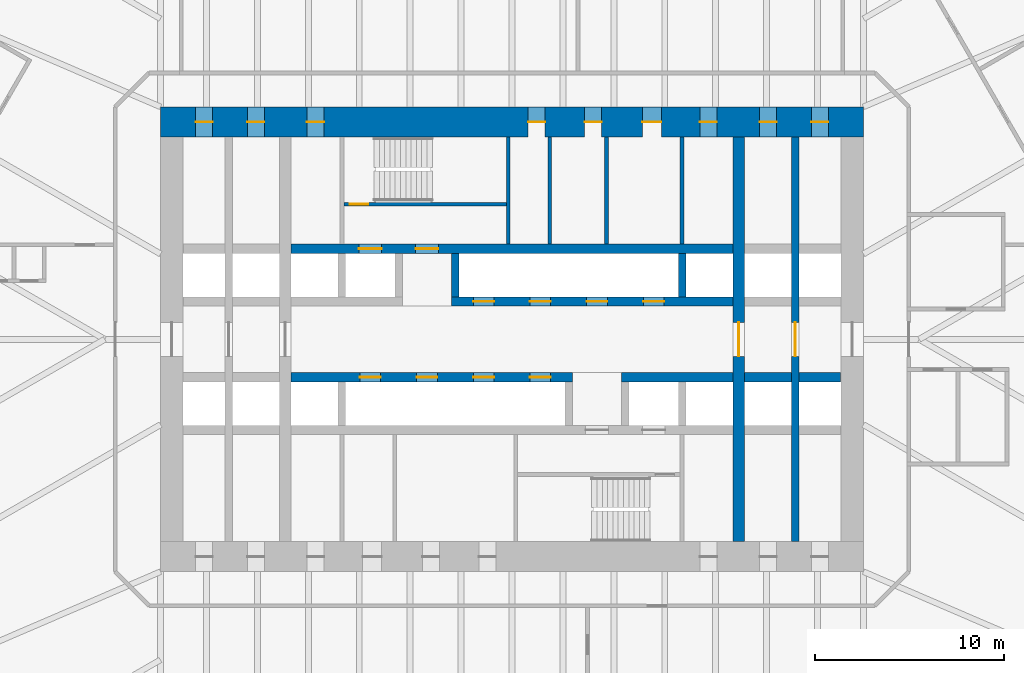
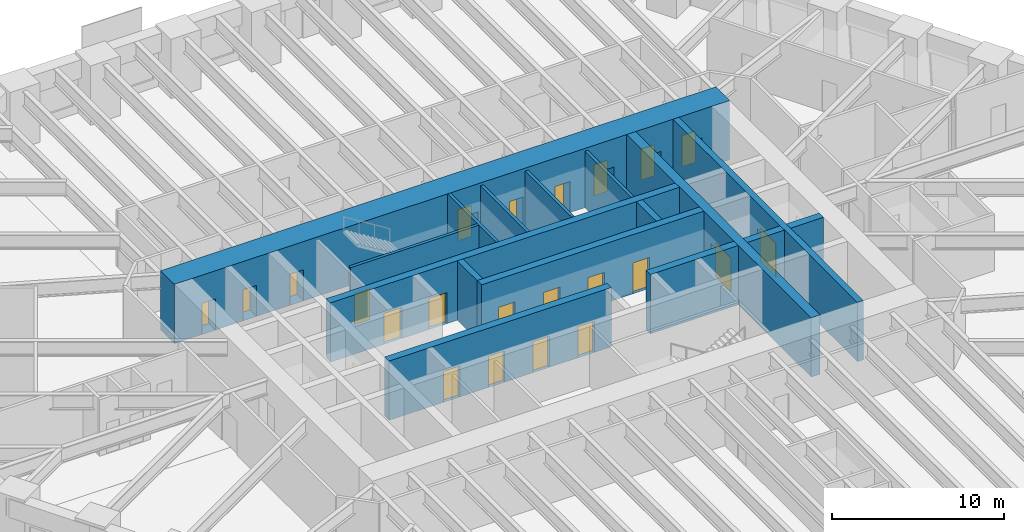
# One storey, part 18 of 23: 22 doors, 16 walls, 22 openings.
"""IFC4 building model written with IfcOpenShell, lengths in metres."""

from ifc_helpers import new_model, si_unit, direction, frame, frame_2d, origin, place, context, subcontext, project, spatial, rectangle, extrude, material, layer, layer_set, type_object, element, fill, save


model = new_model("IFC4")

# Units and contexts
model_context = context("Model", 3, precision=1e-05, world=origin(), true_north=direction((0.0, 1.0)))
body_context = subcontext(model_context, "Body", "Model", "MODEL_VIEW")
ifc_project = project(units=[si_unit("LENGTHUNIT", "METRE"), si_unit("AREAUNIT", "SQUARE_METRE"), si_unit("VOLUMEUNIT", "CUBIC_METRE"), si_unit("PLANEANGLEUNIT", "RADIAN"), si_unit("MASSUNIT", "GRAM", prefix="KILO")], contexts=[model_context])

# Site, building, storey
site_placement = place(None, origin())
site = spatial("IfcSite", under=ifc_project, at=site_placement, CompositionType="ELEMENT")
building_placement = place(site_placement, origin())
building = spatial("IfcBuilding", under=site, at=building_placement, Name="Tarfa Lantern Tower", CompositionType="ELEMENT")
storey_placement = place(building_placement, frame((0.0, 0.0, 48.699951171875)))
storey = spatial("IfcBuildingStorey", under=building, at=storey_placement, Name="L10", CompositionType="ELEMENT", Elevation=48.699951171875)

# Walls
ifc_material_1 = material(Name="Concrete blockwork", Category="masonry")
ifc_layer_1 = layer(ifc_material_1, 0.199951171875)
ifc_layer_set_1 = layer_set([ifc_layer_1], Name="IW1 BLOCKWORK PARTITION 200 EI 120")
wall_type_1 = type_object("IfcWallType", Name="IW1 BLOCKWORK PARTITION 200 EI 120", PredefinedType="PARTITIONING", material=ifc_layer_set_1)
for number, where, z_axis, x_axis, name in (
    (1, (9.0, 5.050048828125, 0.0), (0.0, 0.0, 1.0), (0.0, 1.0, 0.0), "Core partition"),
    (2, (2.0, 5.050048828125, 0.0), (0.0, 0.0, 1.0), (0.0, 1.0, 0.0), "Core partition"),
    (3, (5.0, 5.050048828125, 0.0), (0.0, 0.0, 1.0), (0.0, 1.0, 0.0), "Core partition"),
):
    element("IfcWall", number, at=place(storey_placement, frame(where, z_axis=z_axis, x_axis=x_axis)), inside=storey, type_object=wall_type_1, Name=name, PredefinedType="PARTITIONING", context=body_context, shape_type="SweptSolid", body=[
        extrude(rectangle(XDim=5.64990234375, YDim=0.199951171875, at=frame_2d((2.824951171875, 0.0))), origin(), (0.0, 0.0, 1.0), 4.0),
    ])
ifc_material_2 = material(Name="Concrete C80/95", Category="concrete")
ifc_layer_2 = layer(ifc_material_2, 0.199951171875)
ifc_layer_set_2 = layer_set([ifc_layer_2], Name="SW12 CORE WALL 200")
wall_type_2 = type_object("IfcWallType", Name="SW12 CORE WALL 200", PredefinedType="SHEAR", material=ifc_layer_set_2)
wall_1_placement = place(storey_placement, frame((-0.199951171875, 5.050048828125, 0.0), z_axis=(0.0, 0.0, 1.0), x_axis=(0.0, 1.0, 0.0)))
element("IfcWall", 4, at=wall_1_placement, inside=storey, type_object=wall_type_2, Name="Core wall stair shaft N", PredefinedType="SHEAR", context=body_context, shape_type="SweptSolid", body=[
    extrude(rectangle(XDim=5.64990234375, YDim=0.199951171875, at=frame_2d((2.824951171875, 0.0))), origin(), (0.0, 0.0, 1.0), 4.199951171875),
])

# Wall, opening, door
wall_2_placement = place(storey_placement, frame((-8.89990234375, 7.14990234375, 0.0), z_axis=(0.0, 0.0, 1.0), x_axis=(1.0, 0.0, 0.0)))
wall_2 = element("IfcWall", 5, at=wall_2_placement, inside=storey, type_object=wall_type_2, Name="Core wall stair partition N", PredefinedType="SHEAR", context=body_context, shape_type="SweptSolid", body=[
    extrude(rectangle(XDim=8.599853515625, YDim=0.199951171875, at=frame_2d((4.2998046875, 0.0))), origin(), (0.0, 0.0, 1.0), 4.199951171875),
])
opening_1_placement = place(wall_2_placement, frame((0.300048828125, 0.0, 0.0)))
opening_1 = element("IfcOpeningElement", 6, at=opening_1_placement, cuts=wall_2, Name="Opening D23", PredefinedType="OPENING", context=body_context, shape_type="SweptSolid", body=[
    extrude(rectangle(XDim=1.0, YDim=2.199951171875, at=frame_2d((0.5, 1.10009765625))), frame((0.0, 0.10986328125, 0.0), z_axis=(0.0, -1.0, 0.0), x_axis=(1.0, 0.0, 0.0)), (0.0, 0.0, 1.0), 0.219970703125),
])
ifc_material_3 = material(Name="Steel fire door", Category="steel")
door_type_1 = type_object("IfcDoorType", Name="DF2 STAIR DOOR 1000x2200", OperationType="SINGLE_SWING_LEFT", PredefinedType="DOOR", material=ifc_material_3)
door_1_placement = place(opening_1_placement, origin())
door_1 = element("IfcDoor", 7, at=door_1_placement, inside=storey, type_object=door_type_1, Name="Stair door", OperationType="SINGLE_SWING_RIGHT", OverallHeight=2.199951171875, OverallWidth=1.0, PredefinedType="DOOR", context=body_context, shape_type="SweptSolid", body=[
    extrude(rectangle(XDim=1.0, YDim=2.199951171875, at=frame_2d((0.5, 1.10009765625))), frame((0.0, 0.02490234375, 0.0), z_axis=(0.0, -1.0, 0.0), x_axis=(1.0, 0.0, 0.0)), (0.0, 0.0, 1.0), 0.050048828125),
])
fill(opening_1, door_1)

# Wall, openings, doors
ifc_layer_3 = layer(ifc_material_2, 0.5)
ifc_layer_set_3 = layer_set([ifc_layer_3], Name="SW5 CORE WALL 500")
wall_type_3 = type_object("IfcWallType", Name="SW5 CORE WALL 500", PredefinedType="SHEAR", material=ifc_layer_set_3)
wall_3_placement = place(storey_placement, frame((-3.199951171875, 2.0, 0.0), z_axis=(0.0, 0.0, 1.0), x_axis=(1.0, 0.0, 0.0)))
wall_3 = element("IfcWall", 8, at=wall_3_placement, inside=storey, type_object=wall_type_3, Name="Core wall lobby east N", PredefinedType="SHEAR", context=body_context, shape_type="SweptSolid", body=[
    extrude(rectangle(XDim=14.89990234375, YDim=0.5, at=frame_2d((7.449951171875, 0.0))), origin(), (0.0, 0.0, 1.0), 4.199951171875),
])
opening_2_placement = place(wall_3_placement, frame((1.14990234375, 0.0, 0.0)))
opening_2 = element("IfcOpeningElement", 9, at=opening_2_placement, cuts=wall_3, Name="Opening LD03", PredefinedType="OPENING", context=body_context, shape_type="SweptSolid", body=[
    extrude(rectangle(XDim=1.10009765625, YDim=2.199951171875, at=frame_2d((0.550048828125, 1.10009765625))), frame((0.0, 0.260009765625, 0.0), z_axis=(0.0, -1.0, 0.0), x_axis=(1.0, 0.0, 0.0)), (0.0, 0.0, 1.0), 0.52001953125),
])
opening_3_placement = place(wall_3_placement, frame((4.14990234375, 0.0, 0.0)))
opening_3 = element("IfcOpeningElement", 10, at=opening_3_placement, cuts=wall_3, Name="Opening LD04", PredefinedType="OPENING", context=body_context, shape_type="SweptSolid", body=[
    extrude(rectangle(XDim=1.10009765625, YDim=2.199951171875, at=frame_2d((0.550048828125, 1.10009765625))), frame((0.0, 0.260009765625, 0.0), z_axis=(0.0, -1.0, 0.0), x_axis=(1.0, 0.0, 0.0)), (0.0, 0.0, 1.0), 0.52001953125),
])
opening_4_placement = place(wall_3_placement, frame((7.14990234375, 0.0, 0.0)))
opening_4 = element("IfcOpeningElement", 11, at=opening_4_placement, cuts=wall_3, Name="Opening LD05", PredefinedType="OPENING", context=body_context, shape_type="SweptSolid", body=[
    extrude(rectangle(XDim=1.10009765625, YDim=2.199951171875, at=frame_2d((0.550048828125, 1.10009765625))), frame((0.0, 0.260009765625, 0.0), z_axis=(0.0, -1.0, 0.0), x_axis=(1.0, 0.0, 0.0)), (0.0, 0.0, 1.0), 0.52001953125),
])
opening_5_placement = place(wall_3_placement, frame((10.14990234375, 0.0, 0.0)))
opening_5 = element("IfcOpeningElement", 12, at=opening_5_placement, cuts=wall_3, Name="Opening LD06", PredefinedType="OPENING", context=body_context, shape_type="SweptSolid", body=[
    extrude(rectangle(XDim=1.10009765625, YDim=2.199951171875, at=frame_2d((0.550048828125, 1.10009765625))), frame((0.0, 0.260009765625, 0.0), z_axis=(0.0, -1.0, 0.0), x_axis=(1.0, 0.0, 0.0)), (0.0, 0.0, 1.0), 0.52001953125),
])
ifc_material_4 = material(Name="Stainless steel lift door", Category="steel")
door_type_2 = type_object("IfcDoorType", Name="LD2 LIFT LANDING DOOR 1100x2200", OperationType="SLIDING_TO_LEFT", PredefinedType="DOOR", material=ifc_material_4)
door_2_placement = place(opening_2_placement, frame((1.10009765625, 0.0, 0.0), z_axis=(0.0, 0.0, 1.0), x_axis=(-1.0, 0.0, 0.0)))
door_2 = element("IfcDoor", 13, at=door_2_placement, inside=storey, type_object=door_type_2, Name="Landing door PA1", OperationType="SLIDING_TO_LEFT", OverallHeight=2.199951171875, OverallWidth=1.10009765625, PredefinedType="DOOR", context=body_context, shape_type="SweptSolid", body=[
    extrude(rectangle(XDim=1.10009765625, YDim=2.199951171875, at=frame_2d((0.550048828125, 1.10009765625))), frame((0.0, 0.02490234375, 0.0), z_axis=(0.0, -1.0, 0.0), x_axis=(1.0, 0.0, 0.0)), (0.0, 0.0, 1.0), 0.050048828125),
])
fill(opening_2, door_2)
door_3_placement = place(opening_3_placement, frame((1.10009765625, 0.0, 0.0), z_axis=(0.0, 0.0, 1.0), x_axis=(-1.0, 0.0, 0.0)))
door_3 = element("IfcDoor", 14, at=door_3_placement, inside=storey, type_object=door_type_2, Name="Landing door PA2", OperationType="SLIDING_TO_LEFT", OverallHeight=2.199951171875, OverallWidth=1.10009765625, PredefinedType="DOOR", context=body_context, shape_type="SweptSolid", body=[
    extrude(rectangle(XDim=1.10009765625, YDim=2.199951171875, at=frame_2d((0.550048828125, 1.10009765625))), frame((0.0, 0.02490234375, 0.0), z_axis=(0.0, -1.0, 0.0), x_axis=(1.0, 0.0, 0.0)), (0.0, 0.0, 1.0), 0.050048828125),
])
fill(opening_3, door_3)
door_4_placement = place(opening_4_placement, frame((1.10009765625, 0.0, 0.0), z_axis=(0.0, 0.0, 1.0), x_axis=(-1.0, 0.0, 0.0)))
door_4 = element("IfcDoor", 15, at=door_4_placement, inside=storey, type_object=door_type_2, Name="Landing door PA3", OperationType="SLIDING_TO_LEFT", OverallHeight=2.199951171875, OverallWidth=1.10009765625, PredefinedType="DOOR", context=body_context, shape_type="SweptSolid", body=[
    extrude(rectangle(XDim=1.10009765625, YDim=2.199951171875, at=frame_2d((0.550048828125, 1.10009765625))), frame((0.0, 0.02490234375, 0.0), z_axis=(0.0, -1.0, 0.0), x_axis=(1.0, 0.0, 0.0)), (0.0, 0.0, 1.0), 0.050048828125),
])
fill(opening_4, door_4)
door_5_placement = place(opening_5_placement, frame((1.10009765625, 0.0, 0.0), z_axis=(0.0, 0.0, 1.0), x_axis=(-1.0, 0.0, 0.0)))
door_5 = element("IfcDoor", 16, at=door_5_placement, inside=storey, type_object=door_type_2, Name="Landing door PA4", OperationType="SLIDING_TO_LEFT", OverallHeight=2.199951171875, OverallWidth=1.10009765625, PredefinedType="DOOR", context=body_context, shape_type="SweptSolid", body=[
    extrude(rectangle(XDim=1.10009765625, YDim=2.199951171875, at=frame_2d((0.550048828125, 1.10009765625))), frame((0.0, 0.02490234375, 0.0), z_axis=(0.0, -1.0, 0.0), x_axis=(1.0, 0.0, 0.0)), (0.0, 0.0, 1.0), 0.050048828125),
])
fill(opening_5, door_5)

wall_4_placement = place(storey_placement, frame((-11.699951171875, 4.800048828125, 0.0), z_axis=(0.0, 0.0, 1.0), x_axis=(1.0, 0.0, 0.0)))
wall_4 = element("IfcWall", 17, at=wall_4_placement, inside=storey, type_object=wall_type_3, Name="Core wall rear N", PredefinedType="SHEAR", context=body_context, shape_type="SweptSolid", body=[
    extrude(rectangle(XDim=23.39990234375, YDim=0.5, at=frame_2d((11.699951171875, 0.0))), origin(), (0.0, 0.0, 1.0), 4.199951171875),
])
opening_6_placement = place(wall_4_placement, frame((6.60009765625, 0.0, 0.0)))
opening_6 = element("IfcOpeningElement", 18, at=opening_6_placement, cuts=wall_4, Name="Opening D13", PredefinedType="OPENING", context=body_context, shape_type="SweptSolid", body=[
    extrude(rectangle(XDim=1.199951171875, YDim=2.199951171875, at=frame_2d((0.60009765625, 1.10009765625))), frame((0.0, 0.260009765625, 0.0), z_axis=(0.0, -1.0, 0.0), x_axis=(1.0, 0.0, 0.0)), (0.0, 0.0, 1.0), 0.52001953125),
])
opening_7_placement = place(wall_4_placement, frame((3.60009765625, 0.0, 0.0)))
opening_7 = element("IfcOpeningElement", 19, at=opening_7_placement, cuts=wall_4, Name="Opening LD01", PredefinedType="OPENING", context=body_context, shape_type="SweptSolid", body=[
    extrude(rectangle(XDim=1.199951171875, YDim=2.199951171875, at=frame_2d((0.60009765625, 1.10009765625))), frame((0.0, 0.260009765625, 0.0), z_axis=(0.0, -1.0, 0.0), x_axis=(1.0, 0.0, 0.0)), (0.0, 0.0, 1.0), 0.52001953125),
])
door_type_3 = type_object("IfcDoorType", Name="DF1 FIREFIGHTING LOBBY DOOR 1200x2200", OperationType="SINGLE_SWING_LEFT", PredefinedType="DOOR", material=ifc_material_3)
door_6_placement = place(opening_6_placement, origin())
door_6 = element("IfcDoor", 20, at=door_6_placement, inside=storey, type_object=door_type_3, Name="Firefighting lobby door", OperationType="SINGLE_SWING_LEFT", OverallHeight=2.199951171875, OverallWidth=1.199951171875, PredefinedType="DOOR", context=body_context, shape_type="SweptSolid", body=[
    extrude(rectangle(XDim=1.199951171875, YDim=2.199951171875, at=frame_2d((0.60009765625, 1.10009765625))), frame((0.0, 0.02490234375, 0.0), z_axis=(0.0, -1.0, 0.0), x_axis=(1.0, 0.0, 0.0)), (0.0, 0.0, 1.0), 0.050048828125),
])
fill(opening_6, door_6)
door_type_4 = type_object("IfcDoorType", Name="LD1 LIFT LANDING DOOR 1200x2200", OperationType="SLIDING_TO_LEFT", PredefinedType="DOOR", material=ifc_material_4)
door_7_placement = place(opening_7_placement, origin())
door_7 = element("IfcDoor", 21, at=door_7_placement, inside=storey, type_object=door_type_4, Name="Landing door FL1", OperationType="SLIDING_TO_LEFT", OverallHeight=2.199951171875, OverallWidth=1.199951171875, PredefinedType="DOOR", context=body_context, shape_type="SweptSolid", body=[
    extrude(rectangle(XDim=1.199951171875, YDim=2.199951171875, at=frame_2d((0.60009765625, 1.10009765625))), frame((0.0, 0.02490234375, 0.0), z_axis=(0.0, -1.0, 0.0), x_axis=(1.0, 0.0, 0.0)), (0.0, 0.0, 1.0), 0.050048828125),
])
fill(opening_7, door_7)

# Walls
wall_5_placement = place(storey_placement, frame((17.39990234375, -2.0, 0.0), z_axis=(0.0, 0.0, 1.0), x_axis=(-1.0, 0.0, 0.0)))
element("IfcWall", 22, at=wall_5_placement, inside=storey, type_object=wall_type_3, Name="Core wall lobby west S", PredefinedType="SHEAR", context=body_context, shape_type="SweptSolid", body=[
    extrude(rectangle(XDim=2.199951171875, YDim=0.5, at=frame_2d((1.10009765625, 0.0))), origin(), (0.0, 0.0, 1.0), 4.199951171875),
])
wall_6_placement = place(storey_placement, frame((14.800048828125, -2.0, 0.0), z_axis=(0.0, 0.0, 1.0), x_axis=(-1.0, 0.0, 0.0)))
element("IfcWall", 23, at=wall_6_placement, inside=storey, type_object=wall_type_3, Name="Core wall lobby west S", PredefinedType="SHEAR", context=body_context, shape_type="SweptSolid", body=[
    extrude(rectangle(XDim=2.5, YDim=0.5, at=frame_2d((1.25, 0.0))), origin(), (0.0, 0.0, 1.0), 4.199951171875),
])
wall_7_placement = place(storey_placement, frame((11.699951171875, -2.0, 0.0), z_axis=(0.0, 0.0, 1.0), x_axis=(-1.0, 0.0, 0.0)))
element("IfcWall", 24, at=wall_7_placement, inside=storey, type_object=wall_type_3, Name="Core wall lobby west S", PredefinedType="SHEAR", context=body_context, shape_type="SweptSolid", body=[
    extrude(rectangle(XDim=5.89990234375, YDim=0.5, at=frame_2d((2.949951171875, 0.0))), origin(), (0.0, 0.0, 1.0), 4.199951171875),
])

# Wall, openings, doors
wall_8_placement = place(storey_placement, frame((3.199951171875, -2.0, 0.0), z_axis=(0.0, 0.0, 1.0), x_axis=(-1.0, 0.0, 0.0)))
wall_8 = element("IfcWall", 25, at=wall_8_placement, inside=storey, type_object=wall_type_3, Name="Core wall lobby east S", PredefinedType="SHEAR", context=body_context, shape_type="SweptSolid", body=[
    extrude(rectangle(XDim=14.89990234375, YDim=0.5, at=frame_2d((7.449951171875, 0.0))), origin(), (0.0, 0.0, 1.0), 4.199951171875),
])
opening_8_placement = place(wall_8_placement, frame((1.14990234375, 0.0, 0.0)))
opening_8 = element("IfcOpeningElement", 26, at=opening_8_placement, cuts=wall_8, Name="Opening LD07", PredefinedType="OPENING", context=body_context, shape_type="SweptSolid", body=[
    extrude(rectangle(XDim=1.10009765625, YDim=2.199951171875, at=frame_2d((0.550048828125, 1.10009765625))), frame((0.0, 0.260009765625, 0.0), z_axis=(0.0, -1.0, 0.0), x_axis=(1.0, 0.0, 0.0)), (0.0, 0.0, 1.0), 0.52001953125),
])
opening_9_placement = place(wall_8_placement, frame((4.14990234375, 0.0, 0.0)))
opening_9 = element("IfcOpeningElement", 27, at=opening_9_placement, cuts=wall_8, Name="Opening LD08", PredefinedType="OPENING", context=body_context, shape_type="SweptSolid", body=[
    extrude(rectangle(XDim=1.10009765625, YDim=2.199951171875, at=frame_2d((0.550048828125, 1.10009765625))), frame((0.0, 0.260009765625, 0.0), z_axis=(0.0, -1.0, 0.0), x_axis=(1.0, 0.0, 0.0)), (0.0, 0.0, 1.0), 0.52001953125),
])
opening_10_placement = place(wall_8_placement, frame((7.14990234375, 0.0, 0.0)))
opening_10 = element("IfcOpeningElement", 28, at=opening_10_placement, cuts=wall_8, Name="Opening LD09", PredefinedType="OPENING", context=body_context, shape_type="SweptSolid", body=[
    extrude(rectangle(XDim=1.10009765625, YDim=2.199951171875, at=frame_2d((0.550048828125, 1.10009765625))), frame((0.0, 0.260009765625, 0.0), z_axis=(0.0, -1.0, 0.0), x_axis=(1.0, 0.0, 0.0)), (0.0, 0.0, 1.0), 0.52001953125),
])
opening_11_placement = place(wall_8_placement, frame((10.14990234375, 0.0, 0.0)))
opening_11 = element("IfcOpeningElement", 29, at=opening_11_placement, cuts=wall_8, Name="Opening LD10", PredefinedType="OPENING", context=body_context, shape_type="SweptSolid", body=[
    extrude(rectangle(XDim=1.10009765625, YDim=2.199951171875, at=frame_2d((0.550048828125, 1.10009765625))), frame((0.0, 0.260009765625, 0.0), z_axis=(0.0, -1.0, 0.0), x_axis=(1.0, 0.0, 0.0)), (0.0, 0.0, 1.0), 0.52001953125),
])
door_8_placement = place(opening_8_placement, frame((1.10009765625, 0.0, 0.0), z_axis=(0.0, 0.0, 1.0), x_axis=(-1.0, 0.0, 0.0)))
door_8 = element("IfcDoor", 30, at=door_8_placement, inside=storey, type_object=door_type_2, Name="Landing door PA5", OperationType="SLIDING_TO_LEFT", OverallHeight=2.199951171875, OverallWidth=1.10009765625, PredefinedType="DOOR", context=body_context, shape_type="SweptSolid", body=[
    extrude(rectangle(XDim=1.10009765625, YDim=2.199951171875, at=frame_2d((0.550048828125, 1.10009765625))), frame((0.0, 0.02490234375, 0.0), z_axis=(0.0, -1.0, 0.0), x_axis=(1.0, 0.0, 0.0)), (0.0, 0.0, 1.0), 0.050048828125),
])
fill(opening_8, door_8)
door_9_placement = place(opening_9_placement, frame((1.10009765625, 0.0, 0.0), z_axis=(0.0, 0.0, 1.0), x_axis=(-1.0, 0.0, 0.0)))
door_9 = element("IfcDoor", 31, at=door_9_placement, inside=storey, type_object=door_type_2, Name="Landing door PA6", OperationType="SLIDING_TO_LEFT", OverallHeight=2.199951171875, OverallWidth=1.10009765625, PredefinedType="DOOR", context=body_context, shape_type="SweptSolid", body=[
    extrude(rectangle(XDim=1.10009765625, YDim=2.199951171875, at=frame_2d((0.550048828125, 1.10009765625))), frame((0.0, 0.02490234375, 0.0), z_axis=(0.0, -1.0, 0.0), x_axis=(1.0, 0.0, 0.0)), (0.0, 0.0, 1.0), 0.050048828125),
])
fill(opening_9, door_9)
door_10_placement = place(opening_10_placement, frame((1.10009765625, 0.0, 0.0), z_axis=(0.0, 0.0, 1.0), x_axis=(-1.0, 0.0, 0.0)))
door_10 = element("IfcDoor", 32, at=door_10_placement, inside=storey, type_object=door_type_2, Name="Landing door PA7", OperationType="SLIDING_TO_LEFT", OverallHeight=2.199951171875, OverallWidth=1.10009765625, PredefinedType="DOOR", context=body_context, shape_type="SweptSolid", body=[
    extrude(rectangle(XDim=1.10009765625, YDim=2.199951171875, at=frame_2d((0.550048828125, 1.10009765625))), frame((0.0, 0.02490234375, 0.0), z_axis=(0.0, -1.0, 0.0), x_axis=(1.0, 0.0, 0.0)), (0.0, 0.0, 1.0), 0.050048828125),
])
fill(opening_10, door_10)
door_11_placement = place(opening_11_placement, frame((1.10009765625, 0.0, 0.0), z_axis=(0.0, 0.0, 1.0), x_axis=(-1.0, 0.0, 0.0)))
door_11 = element("IfcDoor", 33, at=door_11_placement, inside=storey, type_object=door_type_2, Name="Landing door PA8", OperationType="SLIDING_TO_LEFT", OverallHeight=2.199951171875, OverallWidth=1.10009765625, PredefinedType="DOOR", context=body_context, shape_type="SweptSolid", body=[
    extrude(rectangle(XDim=1.10009765625, YDim=2.199951171875, at=frame_2d((0.550048828125, 1.10009765625))), frame((0.0, 0.02490234375, 0.0), z_axis=(0.0, -1.0, 0.0), x_axis=(1.0, 0.0, 0.0)), (0.0, 0.0, 1.0), 0.050048828125),
])
fill(opening_11, door_11)

# Wall, opening, door
ifc_layer_4 = layer(ifc_material_2, 0.39990234375)
ifc_layer_set_4 = layer_set([ifc_layer_4], Name="SW6 CORE WALL 400")
wall_type_4 = type_object("IfcWallType", Name="SW6 CORE WALL 400", PredefinedType="SHEAR", material=ifc_layer_set_4)
wall_9_placement = place(storey_placement, frame((15.0, -10.699951171875, 0.0), z_axis=(0.0, 0.0, 1.0), x_axis=(0.0, 1.0, 0.0)))
wall_9 = element("IfcWall", 34, at=wall_9_placement, inside=storey, type_object=wall_type_4, Name="Core wall cross 15 m east", PredefinedType="SHEAR", context=body_context, shape_type="SweptSolid", body=[
    extrude(rectangle(XDim=21.39990234375, YDim=0.39990234375, at=frame_2d((10.699951171875, 0.0))), origin(), (0.0, 0.0, 1.0), 4.199951171875),
])
opening_12_placement = place(wall_9_placement, frame((9.800048828125, 0.0, 0.0)))
opening_12 = element("IfcOpeningElement", 35, at=opening_12_placement, cuts=wall_9, Name="Opening D26", PredefinedType="OPENING", context=body_context, shape_type="SweptSolid", body=[
    extrude(rectangle(XDim=1.800048828125, YDim=2.39990234375, at=frame_2d((0.89990234375, 1.199951171875))), frame((0.0, 0.2099609375, 0.0), z_axis=(0.0, -1.0, 0.0), x_axis=(1.0, 0.0, 0.0)), (0.0, 0.0, 1.0), 0.419921875),
])
door_type_5 = type_object("IfcDoorType", Name="DL1 LOBBY DOOR 1800x2400", OperationType="DOUBLE_DOOR_SINGLE_SWING", PredefinedType="DOOR", material=ifc_material_3)
door_12_placement = place(opening_12_placement, origin())
door_12 = element("IfcDoor", 36, at=door_12_placement, inside=storey, type_object=door_type_5, Name="Lift lobby door", OperationType="DOUBLE_DOOR_SINGLE_SWING", OverallHeight=2.39990234375, OverallWidth=1.800048828125, PredefinedType="DOOR", context=body_context, shape_type="SweptSolid", body=[
    extrude(rectangle(XDim=1.800048828125, YDim=2.39990234375, at=frame_2d((0.89990234375, 1.199951171875))), frame((0.0, 0.02490234375, 0.0), z_axis=(0.0, -1.0, 0.0), x_axis=(1.0, 0.0, 0.0)), (0.0, 0.0, 1.0), 0.050048828125),
])
fill(opening_12, door_12)

# Walls
for number, where, z_axis, x_axis, name in (
    (37, (-3.0, 2.25, 0.0), (0.0, 0.0, 1.0), (0.0, 1.0, 0.0), "Core wall divider N"),
    (38, (9.0, 2.25, 0.0), (0.0, 0.0, 1.0), (0.0, 1.0, 0.0), "Core wall divider N"),
):
    element("IfcWall", number, at=place(storey_placement, frame(where, z_axis=z_axis, x_axis=x_axis)), inside=storey, type_object=wall_type_4, Name=name, PredefinedType="SHEAR", context=body_context, shape_type="SweptSolid", body=[
        extrude(rectangle(XDim=2.300048828125, YDim=0.39990234375, at=frame_2d((1.14990234375, 0.0))), origin(), (0.0, 0.0, 1.0), 4.199951171875),
    ])

# Wall, openings, doors
ifc_layer_5 = layer(ifc_material_2, 1.60009765625)
ifc_layer_set_5 = layer_set([ifc_layer_5], Name="SW7 CORE WALL 1600")
wall_type_5 = type_object("IfcWallType", Name="SW7 CORE WALL 1600", PredefinedType="SHEAR", material=ifc_layer_set_5)
wall_10_placement = place(storey_placement, frame((-18.60009765625, 11.5, 0.0), z_axis=(0.0, 0.0, 1.0), x_axis=(1.0, 0.0, 0.0)))
wall_10 = element("IfcWall", 39, at=wall_10_placement, inside=storey, type_object=wall_type_5, Name="Core wall N", PredefinedType="SHEAR", context=body_context, shape_type="SweptSolid", body=[
    extrude(rectangle(XDim=37.2001953125, YDim=1.60009765625, at=frame_2d((18.60009765625, 0.0))), origin(), (0.0, 0.0, 1.0), 4.199951171875),
])
opening_13_placement = place(wall_10_placement, frame((19.449951171875, 0.0, 0.0)))
opening_13 = element("IfcOpeningElement", 40, at=opening_13_placement, cuts=wall_10, Name="Opening D17", PredefinedType="OPENING", context=body_context, shape_type="SweptSolid", body=[
    extrude(rectangle(XDim=0.89990234375, YDim=2.199951171875, at=frame_2d((0.449951171875, 1.10009765625))), frame((0.0, 0.81005859375, 0.0), z_axis=(0.0, -1.0, 0.0), x_axis=(1.0, 0.0, 0.0)), (0.0, 0.0, 1.0), 1.6201171875),
])
opening_14_placement = place(wall_10_placement, frame((22.449951171875, 0.0, 0.0)))
opening_14 = element("IfcOpeningElement", 41, at=opening_14_placement, cuts=wall_10, Name="Opening D19", PredefinedType="OPENING", context=body_context, shape_type="SweptSolid", body=[
    extrude(rectangle(XDim=0.89990234375, YDim=2.199951171875, at=frame_2d((0.449951171875, 1.10009765625))), frame((0.0, 0.81005859375, 0.0), z_axis=(0.0, -1.0, 0.0), x_axis=(1.0, 0.0, 0.0)), (0.0, 0.0, 1.0), 1.6201171875),
])
opening_15_placement = place(wall_10_placement, frame((25.5, 0.0, 0.0)))
opening_15 = element("IfcOpeningElement", 42, at=opening_15_placement, cuts=wall_10, Name="Opening D21", PredefinedType="OPENING", context=body_context, shape_type="SweptSolid", body=[
    extrude(rectangle(XDim=1.0, YDim=2.199951171875, at=frame_2d((0.5, 1.10009765625))), frame((0.0, 0.81005859375, 0.0), z_axis=(0.0, -1.0, 0.0), x_axis=(1.0, 0.0, 0.0)), (0.0, 0.0, 1.0), 1.6201171875),
])
opening_16_placement = place(wall_10_placement, frame((1.85009765625, 0.0, 0.0)))
opening_16 = element("IfcOpeningElement", 43, at=opening_16_placement, cuts=wall_10, Name="Opening D11", PredefinedType="OPENING", context=body_context, shape_type="SweptSolid", body=[
    extrude(rectangle(XDim=0.89990234375, YDim=2.199951171875, at=frame_2d((0.449951171875, 1.10009765625))), frame((0.0, 0.81005859375, 0.0), z_axis=(0.0, -1.0, 0.0), x_axis=(1.0, 0.0, 0.0)), (0.0, 0.0, 1.0), 1.6201171875),
])
opening_17_placement = place(wall_10_placement, frame((4.60009765625, 0.0, 0.0)))
opening_17 = element("IfcOpeningElement", 44, at=opening_17_placement, cuts=wall_10, Name="Opening D07", PredefinedType="OPENING", context=body_context, shape_type="SweptSolid", body=[
    extrude(rectangle(XDim=0.89990234375, YDim=2.199951171875, at=frame_2d((0.449951171875, 1.10009765625))), frame((0.0, 0.81005859375, 0.0), z_axis=(0.0, -1.0, 0.0), x_axis=(1.0, 0.0, 0.0)), (0.0, 0.0, 1.0), 1.6201171875),
])
opening_18_placement = place(wall_10_placement, frame((7.75, 0.0, 0.0)))
opening_18 = element("IfcOpeningElement", 45, at=opening_18_placement, cuts=wall_10, Name="Opening D09", PredefinedType="OPENING", context=body_context, shape_type="SweptSolid", body=[
    extrude(rectangle(XDim=0.89990234375, YDim=2.199951171875, at=frame_2d((0.449951171875, 1.10009765625))), frame((0.0, 0.81005859375, 0.0), z_axis=(0.0, -1.0, 0.0), x_axis=(1.0, 0.0, 0.0)), (0.0, 0.0, 1.0), 1.6201171875),
])
opening_19_placement = place(wall_10_placement, frame((28.550048828125, 0.0, 0.0)))
opening_19 = element("IfcOpeningElement", 46, at=opening_19_placement, cuts=wall_10, Name="Opening D05", PredefinedType="OPENING", context=body_context, shape_type="SweptSolid", body=[
    extrude(rectangle(XDim=0.89990234375, YDim=2.199951171875, at=frame_2d((0.449951171875, 1.10009765625))), frame((0.0, 0.81005859375, 0.0), z_axis=(0.0, -1.0, 0.0), x_axis=(1.0, 0.0, 0.0)), (0.0, 0.0, 1.0), 1.6201171875),
])
opening_20_placement = place(wall_10_placement, frame((31.699951171875, 0.0, 0.0)))
opening_20 = element("IfcOpeningElement", 47, at=opening_20_placement, cuts=wall_10, Name="Opening D01", PredefinedType="OPENING", context=body_context, shape_type="SweptSolid", body=[
    extrude(rectangle(XDim=0.89990234375, YDim=2.199951171875, at=frame_2d((0.449951171875, 1.10009765625))), frame((0.0, 0.81005859375, 0.0), z_axis=(0.0, -1.0, 0.0), x_axis=(1.0, 0.0, 0.0)), (0.0, 0.0, 1.0), 1.6201171875),
])
opening_21_placement = place(wall_10_placement, frame((34.449951171875, 0.0, 0.0)))
opening_21 = element("IfcOpeningElement", 48, at=opening_21_placement, cuts=wall_10, Name="Opening D03", PredefinedType="OPENING", context=body_context, shape_type="SweptSolid", body=[
    extrude(rectangle(XDim=0.89990234375, YDim=2.199951171875, at=frame_2d((0.449951171875, 1.10009765625))), frame((0.0, 0.81005859375, 0.0), z_axis=(0.0, -1.0, 0.0), x_axis=(1.0, 0.0, 0.0)), (0.0, 0.0, 1.0), 1.6201171875),
])
door_type_6 = type_object("IfcDoorType", Name="DF3 CORE ROOM DOOR 900x2200", OperationType="SINGLE_SWING_LEFT", PredefinedType="DOOR", material=ifc_material_3)
door_13_placement = place(opening_13_placement, frame((0.89990234375, 0.0, 0.0), z_axis=(0.0, 0.0, 1.0), x_axis=(-1.0, 0.0, 0.0)))
door_13 = element("IfcDoor", 49, at=door_13_placement, inside=storey, type_object=door_type_6, Name="Core door", OperationType="SINGLE_SWING_RIGHT", OverallHeight=2.199951171875, OverallWidth=0.89990234375, PredefinedType="DOOR", context=body_context, shape_type="SweptSolid", body=[
    extrude(rectangle(XDim=0.89990234375, YDim=2.199951171875, at=frame_2d((0.449951171875, 1.10009765625))), frame((0.0, 0.02490234375, 0.0), z_axis=(0.0, -1.0, 0.0), x_axis=(1.0, 0.0, 0.0)), (0.0, 0.0, 1.0), 0.050048828125),
])
fill(opening_13, door_13)
door_14_placement = place(opening_14_placement, frame((0.89990234375, 0.0, 0.0), z_axis=(0.0, 0.0, 1.0), x_axis=(-1.0, 0.0, 0.0)))
door_14 = element("IfcDoor", 50, at=door_14_placement, inside=storey, type_object=door_type_6, Name="Core door", OperationType="SINGLE_SWING_RIGHT", OverallHeight=2.199951171875, OverallWidth=0.89990234375, PredefinedType="DOOR", context=body_context, shape_type="SweptSolid", body=[
    extrude(rectangle(XDim=0.89990234375, YDim=2.199951171875, at=frame_2d((0.449951171875, 1.10009765625))), frame((0.0, 0.02490234375, 0.0), z_axis=(0.0, -1.0, 0.0), x_axis=(1.0, 0.0, 0.0)), (0.0, 0.0, 1.0), 0.050048828125),
])
fill(opening_14, door_14)
door_type_7 = type_object("IfcDoorType", Name="DF4 CORE ROOM DOOR 1000x2200", OperationType="SINGLE_SWING_LEFT", PredefinedType="DOOR", material=ifc_material_3)
door_15_placement = place(opening_15_placement, frame((1.0, 0.0, 0.0), z_axis=(0.0, 0.0, 1.0), x_axis=(-1.0, 0.0, 0.0)))
door_15 = element("IfcDoor", 51, at=door_15_placement, inside=storey, type_object=door_type_7, Name="Core door", OperationType="SINGLE_SWING_RIGHT", OverallHeight=2.199951171875, OverallWidth=1.0, PredefinedType="DOOR", context=body_context, shape_type="SweptSolid", body=[
    extrude(rectangle(XDim=1.0, YDim=2.199951171875, at=frame_2d((0.5, 1.10009765625))), frame((0.0, 0.02490234375, 0.0), z_axis=(0.0, -1.0, 0.0), x_axis=(1.0, 0.0, 0.0)), (0.0, 0.0, 1.0), 0.050048828125),
])
fill(opening_15, door_15)
door_type_8 = type_object("IfcDoorType", Name="DF5 RISER DOOR 900x2200", OperationType="SINGLE_SWING_LEFT", PredefinedType="DOOR", material=ifc_material_3)
door_16_placement = place(opening_16_placement, frame((0.89990234375, 0.0, 0.0), z_axis=(0.0, 0.0, 1.0), x_axis=(-1.0, 0.0, 0.0)))
door_16 = element("IfcDoor", 52, at=door_16_placement, inside=storey, type_object=door_type_8, Name="Riser door", OperationType="SINGLE_SWING_LEFT", OverallHeight=2.199951171875, OverallWidth=0.89990234375, PredefinedType="DOOR", context=body_context, shape_type="SweptSolid", body=[
    extrude(rectangle(XDim=0.89990234375, YDim=2.199951171875, at=frame_2d((0.449951171875, 1.10009765625))), frame((0.0, 0.02490234375, 0.0), z_axis=(0.0, -1.0, 0.0), x_axis=(1.0, 0.0, 0.0)), (0.0, 0.0, 1.0), 0.050048828125),
])
fill(opening_16, door_16)
door_17_placement = place(opening_17_placement, frame((0.89990234375, 0.0, 0.0), z_axis=(0.0, 0.0, 1.0), x_axis=(-1.0, 0.0, 0.0)))
door_17 = element("IfcDoor", 53, at=door_17_placement, inside=storey, type_object=door_type_8, Name="Riser door", OperationType="SINGLE_SWING_LEFT", OverallHeight=2.199951171875, OverallWidth=0.89990234375, PredefinedType="DOOR", context=body_context, shape_type="SweptSolid", body=[
    extrude(rectangle(XDim=0.89990234375, YDim=2.199951171875, at=frame_2d((0.449951171875, 1.10009765625))), frame((0.0, 0.02490234375, 0.0), z_axis=(0.0, -1.0, 0.0), x_axis=(1.0, 0.0, 0.0)), (0.0, 0.0, 1.0), 0.050048828125),
])
fill(opening_17, door_17)
door_18_placement = place(opening_18_placement, frame((0.89990234375, 0.0, 0.0), z_axis=(0.0, 0.0, 1.0), x_axis=(-1.0, 0.0, 0.0)))
door_18 = element("IfcDoor", 54, at=door_18_placement, inside=storey, type_object=door_type_8, Name="Riser door", OperationType="SINGLE_SWING_LEFT", OverallHeight=2.199951171875, OverallWidth=0.89990234375, PredefinedType="DOOR", context=body_context, shape_type="SweptSolid", body=[
    extrude(rectangle(XDim=0.89990234375, YDim=2.199951171875, at=frame_2d((0.449951171875, 1.10009765625))), frame((0.0, 0.02490234375, 0.0), z_axis=(0.0, -1.0, 0.0), x_axis=(1.0, 0.0, 0.0)), (0.0, 0.0, 1.0), 0.050048828125),
])
fill(opening_18, door_18)
door_19_placement = place(opening_19_placement, frame((0.89990234375, 0.0, 0.0), z_axis=(0.0, 0.0, 1.0), x_axis=(-1.0, 0.0, 0.0)))
door_19 = element("IfcDoor", 55, at=door_19_placement, inside=storey, type_object=door_type_8, Name="Riser door", OperationType="SINGLE_SWING_RIGHT", OverallHeight=2.199951171875, OverallWidth=0.89990234375, PredefinedType="DOOR", context=body_context, shape_type="SweptSolid", body=[
    extrude(rectangle(XDim=0.89990234375, YDim=2.199951171875, at=frame_2d((0.449951171875, 1.10009765625))), frame((0.0, 0.02490234375, 0.0), z_axis=(0.0, -1.0, 0.0), x_axis=(1.0, 0.0, 0.0)), (0.0, 0.0, 1.0), 0.050048828125),
])
fill(opening_19, door_19)
door_20_placement = place(opening_20_placement, frame((0.89990234375, 0.0, 0.0), z_axis=(0.0, 0.0, 1.0), x_axis=(-1.0, 0.0, 0.0)))
door_20 = element("IfcDoor", 56, at=door_20_placement, inside=storey, type_object=door_type_8, Name="Riser door", OperationType="SINGLE_SWING_RIGHT", OverallHeight=2.199951171875, OverallWidth=0.89990234375, PredefinedType="DOOR", context=body_context, shape_type="SweptSolid", body=[
    extrude(rectangle(XDim=0.89990234375, YDim=2.199951171875, at=frame_2d((0.449951171875, 1.10009765625))), frame((0.0, 0.02490234375, 0.0), z_axis=(0.0, -1.0, 0.0), x_axis=(1.0, 0.0, 0.0)), (0.0, 0.0, 1.0), 0.050048828125),
])
fill(opening_20, door_20)
door_21_placement = place(opening_21_placement, frame((0.89990234375, 0.0, 0.0), z_axis=(0.0, 0.0, 1.0), x_axis=(-1.0, 0.0, 0.0)))
door_21 = element("IfcDoor", 57, at=door_21_placement, inside=storey, type_object=door_type_8, Name="Riser door", OperationType="SINGLE_SWING_RIGHT", OverallHeight=2.199951171875, OverallWidth=0.89990234375, PredefinedType="DOOR", context=body_context, shape_type="SweptSolid", body=[
    extrude(rectangle(XDim=0.89990234375, YDim=2.199951171875, at=frame_2d((0.449951171875, 1.10009765625))), frame((0.0, 0.02490234375, 0.0), z_axis=(0.0, -1.0, 0.0), x_axis=(1.0, 0.0, 0.0)), (0.0, 0.0, 1.0), 0.050048828125),
])
fill(opening_21, door_21)

# Wall, opening, door
ifc_layer_6 = layer(ifc_material_2, 0.60009765625)
ifc_layer_set_6 = layer_set([ifc_layer_6], Name="SW9 CORE WALL 600")
wall_type_6 = type_object("IfcWallType", Name="SW9 CORE WALL 600", PredefinedType="SHEAR", material=ifc_layer_set_6)
wall_11_placement = place(storey_placement, frame((12.0, -10.699951171875, 0.0), z_axis=(0.0, 0.0, 1.0), x_axis=(0.0, 1.0, 0.0)))
wall_11 = element("IfcWall", 58, at=wall_11_placement, inside=storey, type_object=wall_type_6, Name="Core wall cross 12 m east", PredefinedType="SHEAR", context=body_context, shape_type="SweptSolid", body=[
    extrude(rectangle(XDim=21.39990234375, YDim=0.60009765625, at=frame_2d((10.699951171875, 0.0))), origin(), (0.0, 0.0, 1.0), 4.199951171875),
])
opening_22_placement = place(wall_11_placement, frame((9.800048828125, 0.0, 0.0)))
opening_22 = element("IfcOpeningElement", 59, at=opening_22_placement, cuts=wall_11, Name="Opening D25", PredefinedType="OPENING", context=body_context, shape_type="SweptSolid", body=[
    extrude(rectangle(XDim=1.800048828125, YDim=2.39990234375, at=frame_2d((0.89990234375, 1.199951171875))), frame((0.0, 0.31005859375, 0.0), z_axis=(0.0, -1.0, 0.0), x_axis=(1.0, 0.0, 0.0)), (0.0, 0.0, 1.0), 0.6201171875),
])
door_22_placement = place(opening_22_placement, origin())
door_22 = element("IfcDoor", 60, at=door_22_placement, inside=storey, type_object=door_type_5, Name="Lift lobby door", OperationType="DOUBLE_DOOR_SINGLE_SWING", OverallHeight=2.39990234375, OverallWidth=1.800048828125, PredefinedType="DOOR", context=body_context, shape_type="SweptSolid", body=[
    extrude(rectangle(XDim=1.800048828125, YDim=2.39990234375, at=frame_2d((0.89990234375, 1.199951171875))), frame((0.0, 0.02490234375, 0.0), z_axis=(0.0, -1.0, 0.0), x_axis=(1.0, 0.0, 0.0)), (0.0, 0.0, 1.0), 0.050048828125),
])
fill(opening_22, door_22)

save(model, "model.ifc")
